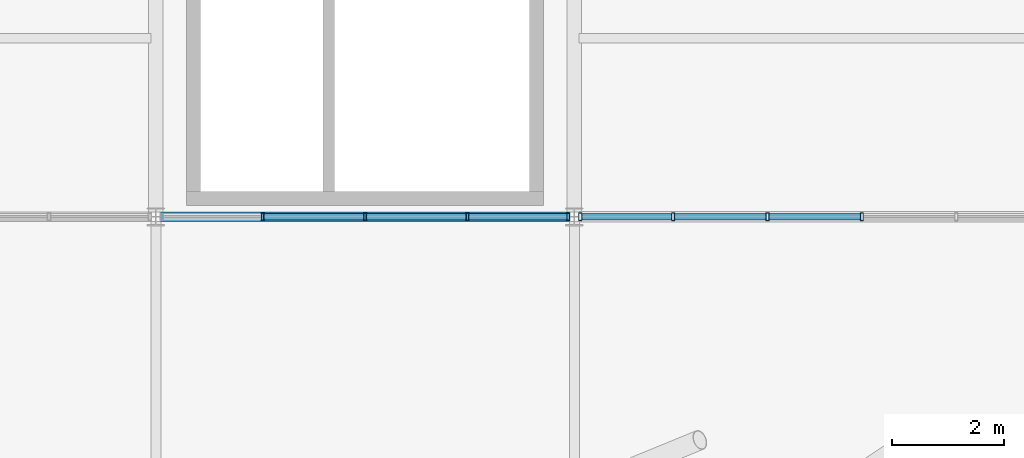
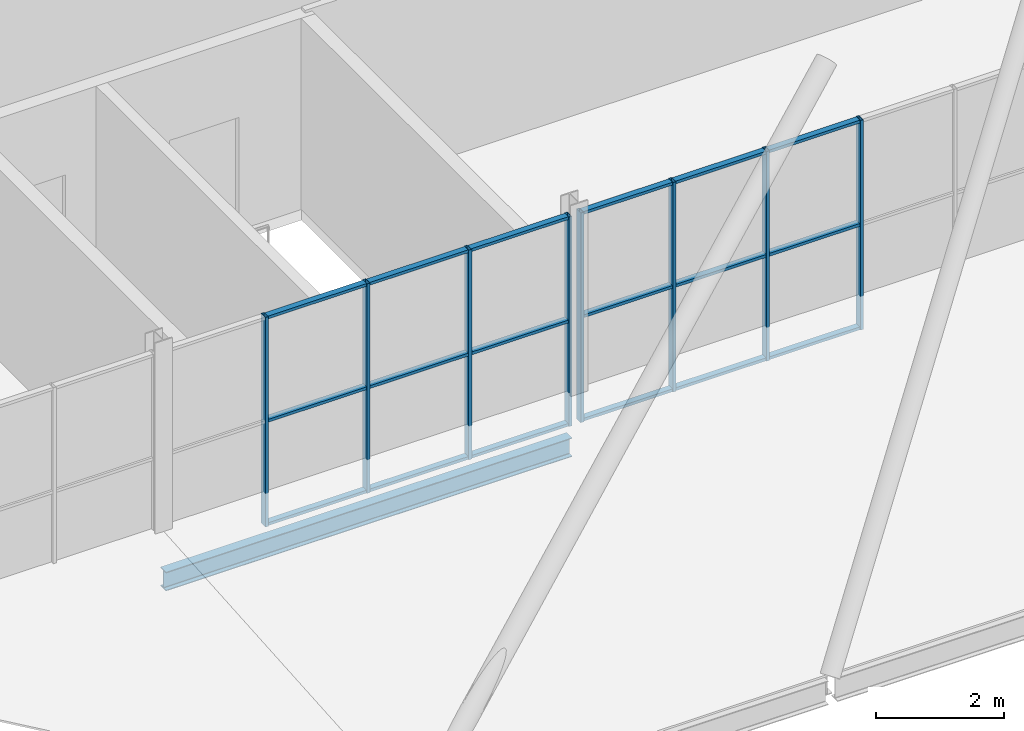
# One storey, part 173 of 324: 26 members, 1 beam, 2 elements without a shape of their own.
"""IFC4 building model written with IfcOpenShell, lengths in metres."""

from ifc_helpers import new_model, si_unit, direction, frame, origin, origin_2d, place, context, subcontext, project, spatial, hollow_rectangle, i_section, extrude, material, layer, layer_set, material_profile, profile_set, type_object, element, aggregate, save


model = new_model("IFC4")

# Units and contexts
model_context = context("Model", 3, precision=1e-05, world=origin(), true_north=direction((0.0, 1.0)))
body_context = subcontext(model_context, "Body", "Model", "MODEL_VIEW")
ifc_project = project(units=[si_unit("LENGTHUNIT", "METRE"), si_unit("AREAUNIT", "SQUARE_METRE"), si_unit("VOLUMEUNIT", "CUBIC_METRE"), si_unit("PLANEANGLEUNIT", "RADIAN"), si_unit("MASSUNIT", "GRAM", prefix="KILO")], contexts=[model_context])

# Site, building, storey
site_placement = place(None, origin())
site = spatial("IfcSite", under=ifc_project, at=site_placement, CompositionType="ELEMENT")
building_placement = place(site_placement, origin())
building = spatial("IfcBuilding", under=site, at=building_placement, Name="Solvenia Promenade Tram Depot", CompositionType="ELEMENT")
storey_placement = place(building_placement, frame((0.0, 0.0, 4.5)))
storey = spatial("IfcBuildingStorey", under=building, at=storey_placement, Name="L01", CompositionType="ELEMENT", Elevation=4.5)

# Curtain wall, members
ifc_material_1 = material(Name="Anodized aluminium AW-6063 T6", Category="aluminium")
ifc_layer = layer(ifc_material_1, 0.179931640625, Name="Anodized aluminium AW-6063 T6", Category="aluminium")
ifc_layer_set = layer_set([ifc_layer], Name="Anodized aluminium AW-6063 T6")
curtain_wall_type = type_object("IfcCurtainWallType", Name="CW-Prom-1800", PredefinedType="NOTDEFINED", material=ifc_layer_set)
curtain_wall_1_placement = place(storey_placement, origin())
curtain_wall_1 = element("IfcCurtainWall", 1, at=curtain_wall_1_placement, inside=storey, type_object=curtain_wall_type, Name="Curtain Wall CW-V5S-L1-02", PredefinedType="NOTDEFINED")
ifc_material_profile_1 = material_profile(ifc_material_1, hollow_rectangle(XDim=0.139892578125, YDim=0.054931640625, WallThickness=0.00390625, at=origin_2d()), Name="ALU-M4", Category="aluminium")
ifc_profile_set_1 = profile_set([ifc_material_profile_1], Name="Anodized aluminium AW-6063 T6")
member_type_1 = type_object("IfcMemberType", Name="CWM-Mullion-4", PredefinedType="MULLION", material=ifc_profile_set_1)
member_1_placement = place(storey_placement, frame((144.4150390625, 8.0, 0.0), z_axis=(0.0, 0.0, 1.0), x_axis=(0.0, 1.0, 0.0)))
member_1 = element("IfcMember", 2, at=member_1_placement, type_object=member_type_1, Name="CW-9 mullion 2", PredefinedType="MULLION", context=body_context, shape_type="SweptSolid", body=[
    extrude(hollow_rectangle(XDim=0.139892578125, YDim=0.054931640625, WallThickness=0.00390625, at=origin_2d()), origin(), (0.0, 0.0, 1.0), 4.0),
])
member_2_placement = place(storey_placement, frame((146.25, 8.0, 0.0), z_axis=(0.0, 0.0, 1.0), x_axis=(0.0, 1.0, 0.0)))
member_2 = element("IfcMember", 3, at=member_2_placement, type_object=member_type_1, Name="CW-9 mullion 3", PredefinedType="MULLION", context=body_context, shape_type="SweptSolid", body=[
    extrude(hollow_rectangle(XDim=0.139892578125, YDim=0.054931640625, WallThickness=0.00390625, at=origin_2d()), origin(), (0.0, 0.0, 1.0), 4.0),
])
member_3_placement = place(storey_placement, frame((148.0849609375, 8.0, 0.0), z_axis=(0.0, 0.0, 1.0), x_axis=(0.0, 1.0, 0.0)))
member_3 = element("IfcMember", 4, at=member_3_placement, type_object=member_type_1, Name="CW-9 mullion 4", PredefinedType="MULLION", context=body_context, shape_type="SweptSolid", body=[
    extrude(hollow_rectangle(XDim=0.139892578125, YDim=0.054931640625, WallThickness=0.00390625, at=origin_2d()), origin(), (0.0, 0.0, 1.0), 4.0),
])
member_4_placement = place(storey_placement, frame((149.892578125, 8.0, 0.0), z_axis=(0.0, 0.0, 1.0), x_axis=(0.0, 1.0, 0.0)))
member_4 = element("IfcMember", 5, at=member_4_placement, type_object=member_type_1, Name="CW-9 mullion 5", PredefinedType="MULLION", context=body_context, shape_type="SweptSolid", body=[
    extrude(hollow_rectangle(XDim=0.139892578125, YDim=0.054931640625, WallThickness=0.00390625, at=origin_2d()), origin(), (0.0, 0.0, 1.0), 4.0),
])

curtain_wall_2_placement = place(storey_placement, origin())
curtain_wall_2 = element("IfcCurtainWall", 6, at=curtain_wall_2_placement, inside=storey, type_object=curtain_wall_type, Name="Curtain Wall CW-V5S-L1-03", PredefinedType="NOTDEFINED")
member_5_placement = place(storey_placement, frame((150.107421875, 8.0, 0.0), z_axis=(0.0, 0.0, 1.0), x_axis=(0.0, 1.0, 0.0)))
member_5 = element("IfcMember", 7, at=member_5_placement, type_object=member_type_1, Name="CW-9 mullion 1", PredefinedType="MULLION", context=body_context, shape_type="SweptSolid", body=[
    extrude(hollow_rectangle(XDim=0.139892578125, YDim=0.054931640625, WallThickness=0.00390625, at=origin_2d()), origin(), (0.0, 0.0, 1.0), 4.0),
])
member_6_placement = place(storey_placement, frame((151.771484375, 8.0, 0.0), z_axis=(0.0, 0.0, 1.0), x_axis=(0.0, 1.0, 0.0)))
member_6 = element("IfcMember", 8, at=member_6_placement, type_object=member_type_1, Name="CW-9 mullion 2", PredefinedType="MULLION", context=body_context, shape_type="SweptSolid", body=[
    extrude(hollow_rectangle(XDim=0.139892578125, YDim=0.054931640625, WallThickness=0.00390625, at=origin_2d()), origin(), (0.0, 0.0, 1.0), 4.0),
])
member_7_placement = place(storey_placement, frame((153.462890625, 8.0, 0.0), z_axis=(0.0, 0.0, 1.0), x_axis=(0.0, 1.0, 0.0)))
member_7 = element("IfcMember", 9, at=member_7_placement, type_object=member_type_1, Name="CW-9 mullion 3", PredefinedType="MULLION", context=body_context, shape_type="SweptSolid", body=[
    extrude(hollow_rectangle(XDim=0.139892578125, YDim=0.054931640625, WallThickness=0.00390625, at=origin_2d()), origin(), (0.0, 0.0, 1.0), 4.0),
])
member_8_placement = place(storey_placement, frame((155.154296875, 8.0, 0.0), z_axis=(0.0, 0.0, 1.0), x_axis=(0.0, 1.0, 0.0)))
member_8 = element("IfcMember", 10, at=member_8_placement, type_object=member_type_1, Name="CW-9 mullion 4", PredefinedType="MULLION", context=body_context, shape_type="SweptSolid", body=[
    extrude(hollow_rectangle(XDim=0.139892578125, YDim=0.054931640625, WallThickness=0.00390625, at=origin_2d()), origin(), (0.0, 0.0, 1.0), 4.0),
])

# Member
ifc_material_profile_2 = material_profile(ifc_material_1, hollow_rectangle(XDim=0.110107421875, YDim=0.054931640625, WallThickness=0.00390625, at=origin_2d()), Name="ALU-T4", Category="aluminium")
ifc_profile_set_2 = profile_set([ifc_material_profile_2], Name="Anodized aluminium AW-6063 T6")
member_type_2 = type_object("IfcMemberType", Name="CWT-Transom-4", PredefinedType="USERDEFINED", material=ifc_profile_set_2)
member_9_placement = place(storey_placement, frame((144.4423828125, 8.0, 0.027587890625), z_axis=(1.0, 0.0, 0.0), x_axis=(0.0, 1.0, 0.0)))
member_9 = element("IfcMember", 11, at=member_9_placement, type_object=member_type_2, Name="CW-9 transom 2.1", ObjectType="TRANSOM", PredefinedType="USERDEFINED", context=body_context, shape_type="SweptSolid", body=[
    extrude(hollow_rectangle(XDim=0.110107421875, YDim=0.054931640625, WallThickness=0.00390625, at=origin_2d()), origin(), (0.0, 0.0, 1.0), 1.780029296875),
])

member_10_placement = place(storey_placement, frame((144.4423828125, 8.0, 2.0), z_axis=(1.0, 0.0, 0.0), x_axis=(0.0, 1.0, 0.0)))
member_10 = element("IfcMember", 12, at=member_10_placement, type_object=member_type_2, Name="CW-9 transom 2.2", ObjectType="TRANSOM", PredefinedType="USERDEFINED", context=body_context, shape_type="SweptSolid", body=[
    extrude(hollow_rectangle(XDim=0.110107421875, YDim=0.054931640625, WallThickness=0.00390625, at=origin_2d()), origin(), (0.0, 0.0, 1.0), 1.780029296875),
])

member_11_placement = place(storey_placement, frame((144.4423828125, 8.0, 3.972412109375), z_axis=(1.0, 0.0, 0.0), x_axis=(0.0, 1.0, 0.0)))
member_11 = element("IfcMember", 13, at=member_11_placement, type_object=member_type_2, Name="CW-9 transom 2.3", ObjectType="TRANSOM", PredefinedType="USERDEFINED", context=body_context, shape_type="SweptSolid", body=[
    extrude(hollow_rectangle(XDim=0.110107421875, YDim=0.054931640625, WallThickness=0.00390625, at=origin_2d()), origin(), (0.0, 0.0, 1.0), 1.780029296875),
])

member_12_placement = place(storey_placement, frame((146.277587890625, 8.0, 0.027587890625), z_axis=(1.0, 0.0, 0.0), x_axis=(0.0, 1.0, 0.0)))
member_12 = element("IfcMember", 14, at=member_12_placement, type_object=member_type_2, Name="CW-9 transom 3.1", ObjectType="TRANSOM", PredefinedType="USERDEFINED", context=body_context, shape_type="SweptSolid", body=[
    extrude(hollow_rectangle(XDim=0.110107421875, YDim=0.054931640625, WallThickness=0.00390625, at=origin_2d()), origin(), (0.0, 0.0, 1.0), 1.780029296875),
])

member_13_placement = place(storey_placement, frame((146.277587890625, 8.0, 2.0), z_axis=(1.0, 0.0, 0.0), x_axis=(0.0, 1.0, 0.0)))
member_13 = element("IfcMember", 15, at=member_13_placement, type_object=member_type_2, Name="CW-9 transom 3.2", ObjectType="TRANSOM", PredefinedType="USERDEFINED", context=body_context, shape_type="SweptSolid", body=[
    extrude(hollow_rectangle(XDim=0.110107421875, YDim=0.054931640625, WallThickness=0.00390625, at=origin_2d()), origin(), (0.0, 0.0, 1.0), 1.780029296875),
])

member_14_placement = place(storey_placement, frame((146.277587890625, 8.0, 3.972412109375), z_axis=(1.0, 0.0, 0.0), x_axis=(0.0, 1.0, 0.0)))
member_14 = element("IfcMember", 16, at=member_14_placement, type_object=member_type_2, Name="CW-9 transom 3.3", ObjectType="TRANSOM", PredefinedType="USERDEFINED", context=body_context, shape_type="SweptSolid", body=[
    extrude(hollow_rectangle(XDim=0.110107421875, YDim=0.054931640625, WallThickness=0.00390625, at=origin_2d()), origin(), (0.0, 0.0, 1.0), 1.780029296875),
])

member_15_placement = place(storey_placement, frame((148.112548828125, 8.0, 0.027587890625), z_axis=(1.0, 0.0, 0.0), x_axis=(0.0, 1.0, 0.0)))
member_15 = element("IfcMember", 17, at=member_15_placement, type_object=member_type_2, Name="CW-9 transom 4.1", ObjectType="TRANSOM", PredefinedType="USERDEFINED", context=body_context, shape_type="SweptSolid", body=[
    extrude(hollow_rectangle(XDim=0.110107421875, YDim=0.054931640625, WallThickness=0.00390625, at=origin_2d()), origin(), (0.0, 0.0, 1.0), 1.75244140625),
])

member_16_placement = place(storey_placement, frame((148.112548828125, 8.0, 2.0), z_axis=(1.0, 0.0, 0.0), x_axis=(0.0, 1.0, 0.0)))
member_16 = element("IfcMember", 18, at=member_16_placement, type_object=member_type_2, Name="CW-9 transom 4.2", ObjectType="TRANSOM", PredefinedType="USERDEFINED", context=body_context, shape_type="SweptSolid", body=[
    extrude(hollow_rectangle(XDim=0.110107421875, YDim=0.054931640625, WallThickness=0.00390625, at=origin_2d()), origin(), (0.0, 0.0, 1.0), 1.75244140625),
])

member_17_placement = place(storey_placement, frame((148.112548828125, 8.0, 3.972412109375), z_axis=(1.0, 0.0, 0.0), x_axis=(0.0, 1.0, 0.0)))
member_17 = element("IfcMember", 19, at=member_17_placement, type_object=member_type_2, Name="CW-9 transom 4.3", ObjectType="TRANSOM", PredefinedType="USERDEFINED", context=body_context, shape_type="SweptSolid", body=[
    extrude(hollow_rectangle(XDim=0.110107421875, YDim=0.054931640625, WallThickness=0.00390625, at=origin_2d()), origin(), (0.0, 0.0, 1.0), 1.75244140625),
])

aggregate(curtain_wall_1, [member_1, member_2, member_3, member_4, member_9, member_10, member_11, member_12, member_13, member_14, member_15, member_16, member_17])

member_18_placement = place(storey_placement, frame((150.135009765625, 8.0, 0.027587890625), z_axis=(1.0, 0.0, 0.0), x_axis=(0.0, 1.0, 0.0)))
member_18 = element("IfcMember", 20, at=member_18_placement, type_object=member_type_2, Name="CW-9 transom 1.1", ObjectType="TRANSOM", PredefinedType="USERDEFINED", context=body_context, shape_type="SweptSolid", body=[
    extrude(hollow_rectangle(XDim=0.110107421875, YDim=0.054931640625, WallThickness=0.00390625, at=origin_2d()), origin(), (0.0, 0.0, 1.0), 1.60888671875),
])

member_19_placement = place(storey_placement, frame((150.135009765625, 8.0, 2.0), z_axis=(1.0, 0.0, 0.0), x_axis=(0.0, 1.0, 0.0)))
member_19 = element("IfcMember", 21, at=member_19_placement, type_object=member_type_2, Name="CW-9 transom 1.2", ObjectType="TRANSOM", PredefinedType="USERDEFINED", context=body_context, shape_type="SweptSolid", body=[
    extrude(hollow_rectangle(XDim=0.110107421875, YDim=0.054931640625, WallThickness=0.00390625, at=origin_2d()), origin(), (0.0, 0.0, 1.0), 1.60888671875),
])

member_20_placement = place(storey_placement, frame((150.135009765625, 8.0, 3.972412109375), z_axis=(1.0, 0.0, 0.0), x_axis=(0.0, 1.0, 0.0)))
member_20 = element("IfcMember", 22, at=member_20_placement, type_object=member_type_2, Name="CW-9 transom 1.3", ObjectType="TRANSOM", PredefinedType="USERDEFINED", context=body_context, shape_type="SweptSolid", body=[
    extrude(hollow_rectangle(XDim=0.110107421875, YDim=0.054931640625, WallThickness=0.00390625, at=origin_2d()), origin(), (0.0, 0.0, 1.0), 1.60888671875),
])

member_21_placement = place(storey_placement, frame((151.798828125, 8.0, 0.027587890625), z_axis=(1.0, 0.0, 0.0), x_axis=(0.0, 1.0, 0.0)))
member_21 = element("IfcMember", 23, at=member_21_placement, type_object=member_type_2, Name="CW-9 transom 2.1", ObjectType="TRANSOM", PredefinedType="USERDEFINED", context=body_context, shape_type="SweptSolid", body=[
    extrude(hollow_rectangle(XDim=0.110107421875, YDim=0.054931640625, WallThickness=0.00390625, at=origin_2d()), origin(), (0.0, 0.0, 1.0), 1.636474609375),
])

member_22_placement = place(storey_placement, frame((151.798828125, 8.0, 2.0), z_axis=(1.0, 0.0, 0.0), x_axis=(0.0, 1.0, 0.0)))
member_22 = element("IfcMember", 24, at=member_22_placement, type_object=member_type_2, Name="CW-9 transom 2.2", ObjectType="TRANSOM", PredefinedType="USERDEFINED", context=body_context, shape_type="SweptSolid", body=[
    extrude(hollow_rectangle(XDim=0.110107421875, YDim=0.054931640625, WallThickness=0.00390625, at=origin_2d()), origin(), (0.0, 0.0, 1.0), 1.636474609375),
])

member_23_placement = place(storey_placement, frame((151.798828125, 8.0, 3.972412109375), z_axis=(1.0, 0.0, 0.0), x_axis=(0.0, 1.0, 0.0)))
member_23 = element("IfcMember", 25, at=member_23_placement, type_object=member_type_2, Name="CW-9 transom 2.3", ObjectType="TRANSOM", PredefinedType="USERDEFINED", context=body_context, shape_type="SweptSolid", body=[
    extrude(hollow_rectangle(XDim=0.110107421875, YDim=0.054931640625, WallThickness=0.00390625, at=origin_2d()), origin(), (0.0, 0.0, 1.0), 1.636474609375),
])

member_24_placement = place(storey_placement, frame((153.490478515625, 8.0, 0.027587890625), z_axis=(1.0, 0.0, 0.0), x_axis=(0.0, 1.0, 0.0)))
member_24 = element("IfcMember", 26, at=member_24_placement, type_object=member_type_2, Name="CW-9 transom 3.1", ObjectType="TRANSOM", PredefinedType="USERDEFINED", context=body_context, shape_type="SweptSolid", body=[
    extrude(hollow_rectangle(XDim=0.110107421875, YDim=0.054931640625, WallThickness=0.00390625, at=origin_2d()), origin(), (0.0, 0.0, 1.0), 1.63623046875),
])

member_25_placement = place(storey_placement, frame((153.490478515625, 8.0, 2.0), z_axis=(1.0, 0.0, 0.0), x_axis=(0.0, 1.0, 0.0)))
member_25 = element("IfcMember", 27, at=member_25_placement, type_object=member_type_2, Name="CW-9 transom 3.2", ObjectType="TRANSOM", PredefinedType="USERDEFINED", context=body_context, shape_type="SweptSolid", body=[
    extrude(hollow_rectangle(XDim=0.110107421875, YDim=0.054931640625, WallThickness=0.00390625, at=origin_2d()), origin(), (0.0, 0.0, 1.0), 1.63623046875),
])

member_26_placement = place(storey_placement, frame((153.490478515625, 8.0, 3.972412109375), z_axis=(1.0, 0.0, 0.0), x_axis=(0.0, 1.0, 0.0)))
member_26 = element("IfcMember", 28, at=member_26_placement, type_object=member_type_2, Name="CW-9 transom 3.3", ObjectType="TRANSOM", PredefinedType="USERDEFINED", context=body_context, shape_type="SweptSolid", body=[
    extrude(hollow_rectangle(XDim=0.110107421875, YDim=0.054931640625, WallThickness=0.00390625, at=origin_2d()), origin(), (0.0, 0.0, 1.0), 1.63623046875),
])

aggregate(curtain_wall_2, [member_5, member_6, member_7, member_8, member_18, member_19, member_20, member_21, member_22, member_23, member_24, member_25, member_26])

# Beam
ifc_material_2 = material(Name="Structural steel ASTM A992 Gr. 50", Category="steel")
ifc_material_profile_3 = material_profile(ifc_material_2, i_section(OverallWidth=0.172119140625, OverallDepth=0.35791015625, WebThickness=0.0078125, FlangeThickness=0.01318359375, FilletRadius=0.010986328125, at=origin_2d()), Name="W360x57", Category="steel")
ifc_profile_set_3 = profile_set([ifc_material_profile_3], Name="Structural steel ASTM A992 Gr. 50")
beam_type = type_object("IfcBeamType", Name="Spandrel-W360x57", PredefinedType="SPANDREL", material=ifc_profile_set_3)
beam_placement = place(storey_placement, frame((142.5849609375, 8.0, -0.39892578125), z_axis=(1.0, 0.0, 0.0), x_axis=(0.0, 1.0, 0.0)))
element("IfcBeam", 29, at=beam_placement, inside=storey, type_object=beam_type, Name="Perimeter Spandrel BM-L01-0415", PredefinedType="SPANDREL", context=body_context, shape_type="SweptSolid", body=[
    extrude(i_section(OverallWidth=0.172119140625, OverallDepth=0.35791015625, WebThickness=0.0078125, FlangeThickness=0.01318359375, FilletRadius=0.010986328125, at=origin_2d()), origin(), (0.0, 0.0, 1.0), 7.330078125),
])

save(model, "model.ifc")
